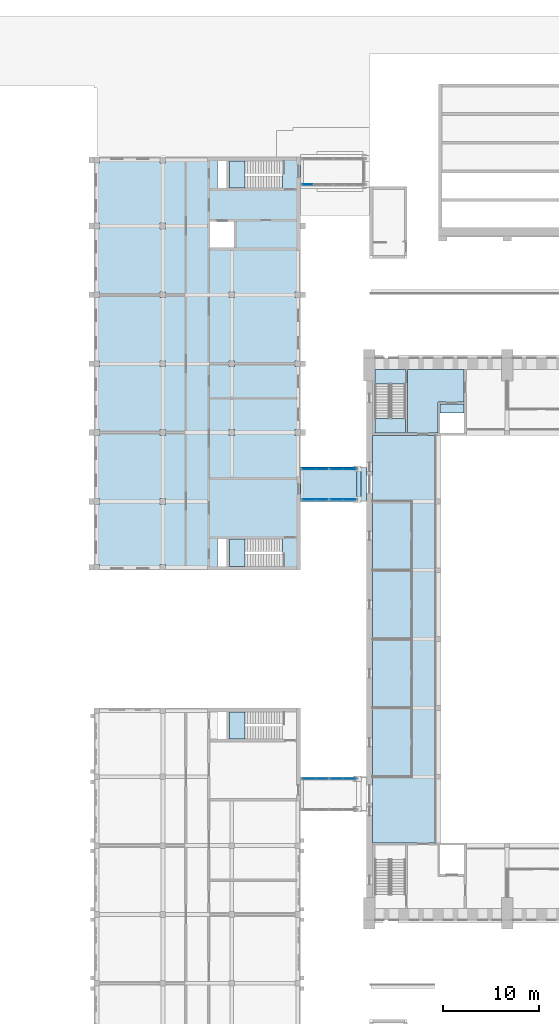
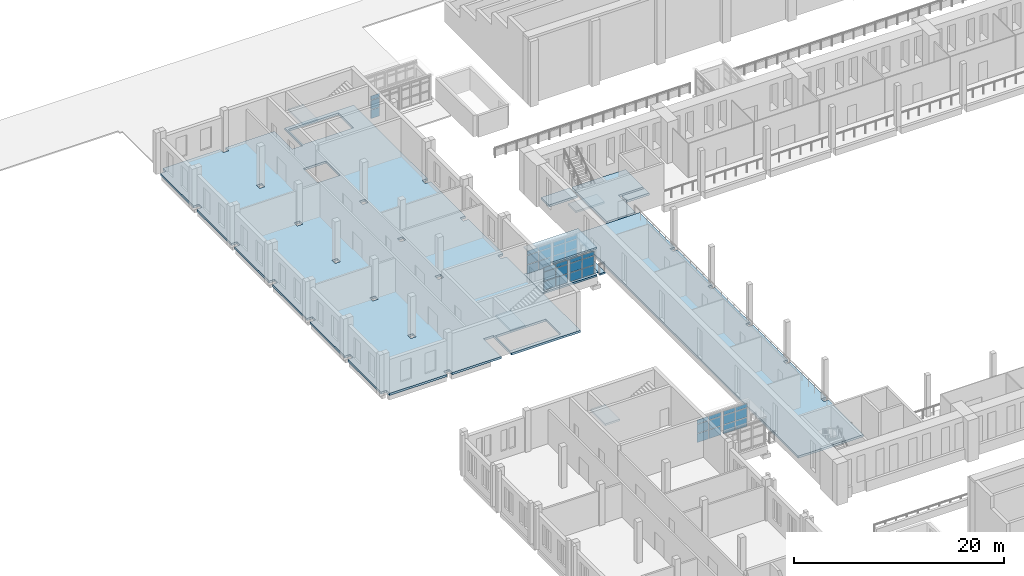
# One storey, part 65 of 131: 40 plates, 12 slabs, 11 elements without a shape of their own.
"""IFC4 building model written with IfcOpenShell, lengths in metres."""

from ifc_helpers import new_model, si_unit, direction, frame, origin, origin_2d, place, context, subcontext, project, spatial, polyline, rectangle, outline, extrude, material, layer, layer_set, type_object, element, aggregate, save


model = new_model("IFC4")

# Units and contexts
model_context = context("Model", 3, precision=1e-05, world=origin(), true_north=direction((0.0, 1.0)))
body_context = subcontext(model_context, "Body", "Model", "MODEL_VIEW")
ifc_project = project(units=[si_unit("LENGTHUNIT", "METRE"), si_unit("AREAUNIT", "SQUARE_METRE"), si_unit("VOLUMEUNIT", "CUBIC_METRE"), si_unit("PLANEANGLEUNIT", "RADIAN"), si_unit("MASSUNIT", "GRAM", prefix="KILO")], contexts=[model_context])

# Site, building, storey
site_placement = place(None, origin())
site = spatial("IfcSite", under=ifc_project, at=site_placement, CompositionType="ELEMENT")
building_placement = place(site_placement, origin())
building = spatial("IfcBuilding", under=site, at=building_placement, Name="Alderwick Market Hall", CompositionType="ELEMENT")
storey_placement = place(building_placement, frame((0.0, 0.0, 4.800048828125)))
storey = spatial("IfcBuildingStorey", under=building, at=storey_placement, Name="L00", CompositionType="ELEMENT", Elevation=4.800048828125)

# Slab
ifc_material_1 = material(Name="Concrete 4000 psi (f'c 28 MPa)", Category="concrete")
ifc_layer_1 = layer(ifc_material_1, 0.25)
ifc_layer_set_1 = layer_set([ifc_layer_1], Name="Concrete 4000 psi (f'c 28 MPa)")
slab_type_1 = type_object("IfcSlabType", Name="B RC Floor Slab 250", PredefinedType="FLOOR", material=ifc_layer_set_1)
slab_1_placement = place(storey_placement, frame((0.0, 0.0, -0.25)))
element("IfcSlab", 1, at=slab_1_placement, inside=storey, type_object=slab_type_1, Name="B.N.slab.L00", PredefinedType="FLOOR", context=body_context, shape_type="SweptSolid", body=[
    extrude(outline(polyline([(35.60009765625, 126.199951171875), (35.60009765625, 129.60009765625), (43.199951171875, 129.60009765625), (43.199951171875, 115.5), (42.60009765625, 115.5), (42.60009765625, 114.89990234375), (43.199951171875, 114.89990234375), (43.199951171875, 108.300048828125), (42.60009765625, 108.300048828125), (42.60009765625, 107.699951171875), (43.199951171875, 107.699951171875), (43.199951171875, 101.10009765625), (42.60009765625, 101.10009765625), (42.60009765625, 100.5), (43.199951171875, 100.5), (43.199951171875, 86.39990234375), (35.60009765625, 86.39990234375), (35.60009765625, 89.800048828125), (34.5, 89.800048828125), (34.5, 86.39990234375), (29.10009765625, 86.39990234375), (29.10009765625, 87.0), (28.5, 87.0), (28.5, 86.39990234375), (22.199951171875, 86.39990234375), (22.199951171875, 87.0), (21.60009765625, 87.0), (21.60009765625, 93.300048828125), (22.199951171875, 93.300048828125), (22.199951171875, 93.89990234375), (21.60009765625, 93.89990234375), (21.60009765625, 100.5), (22.199951171875, 100.5), (22.199951171875, 101.10009765625), (21.60009765625, 101.10009765625), (21.60009765625, 107.699951171875), (22.199951171875, 107.699951171875), (22.199951171875, 108.300048828125), (21.60009765625, 108.300048828125), (21.60009765625, 114.89990234375), (22.199951171875, 114.89990234375), (22.199951171875, 115.5), (21.60009765625, 115.5), (21.60009765625, 122.10009765625), (22.199951171875, 122.10009765625), (22.199951171875, 122.699951171875), (21.60009765625, 122.699951171875), (21.60009765625, 129.0), (22.199951171875, 129.0), (22.199951171875, 129.60009765625), (28.5, 129.60009765625), (28.5, 129.0), (29.10009765625, 129.0), (29.10009765625, 129.60009765625), (34.5, 129.60009765625), (34.5, 126.199951171875), (35.60009765625, 126.199951171875)]), holes=[polyline([(29.10009765625, 122.699951171875), (28.5, 122.699951171875), (28.5, 122.10009765625), (29.10009765625, 122.10009765625), (29.10009765625, 122.699951171875)]), polyline([(29.10009765625, 114.89990234375), (29.10009765625, 115.5), (28.5, 115.5), (28.5, 114.89990234375), (29.10009765625, 114.89990234375)]), polyline([(28.5, 107.699951171875), (29.10009765625, 107.699951171875), (29.10009765625, 108.300048828125), (28.5, 108.300048828125), (28.5, 107.699951171875)]), polyline([(28.5, 101.10009765625), (28.5, 100.5), (29.10009765625, 100.5), (29.10009765625, 101.10009765625), (28.5, 101.10009765625)]), polyline([(29.10009765625, 93.89990234375), (28.5, 93.89990234375), (28.5, 93.300048828125), (29.10009765625, 93.300048828125), (29.10009765625, 93.89990234375)]), polyline([(35.699951171875, 114.89990234375), (36.300048828125, 114.89990234375), (36.300048828125, 115.5), (35.699951171875, 115.5), (35.699951171875, 114.89990234375)]), polyline([(35.699951171875, 108.300048828125), (35.699951171875, 107.699951171875), (36.300048828125, 107.699951171875), (36.300048828125, 108.300048828125), (35.699951171875, 108.300048828125)]), polyline([(36.300048828125, 101.10009765625), (35.699951171875, 101.10009765625), (35.699951171875, 100.5), (36.300048828125, 100.5), (36.300048828125, 101.10009765625)]), polyline([(41.2900390625, 129.199951171875), (35.75, 129.199951171875), (35.75, 126.35009765625), (41.2900390625, 126.35009765625), (41.2900390625, 129.199951171875)]), polyline([(36.25, 120.14990234375), (36.25, 122.85009765625), (33.75, 122.85009765625), (33.75, 120.14990234375), (36.25, 120.14990234375)]), polyline([(35.75, 89.64990234375), (35.75, 86.800048828125), (41.2900390625, 86.800048828125), (41.2900390625, 89.64990234375), (35.75, 89.64990234375)])]), origin(), (0.0, 0.0, 1.0), 0.25),
])

# Stair, slab
ifc_material_2 = material(Name="Concrete 5000 psi (f'c 35 MPa)", Category="concrete")
stair_type_1 = type_object("IfcStairType", Name="B Exit Stair 1300", PredefinedType="TWO_STRAIGHT_RUN_STAIR", material=ifc_material_2)
stair_1_placement = place(storey_placement, origin())
stair_1 = element("IfcStair", 2, at=stair_1_placement, inside=storey, type_object=stair_type_1, Name="Stair N-1 L00", PredefinedType="TWO_STRAIGHT_RUN_STAIR")
ifc_layer_2 = layer(ifc_material_2, 0.199951171875)
ifc_layer_set_2 = layer_set([ifc_layer_2], Name="Concrete 5000 psi (f'c 35 MPa)")
slab_type_2 = type_object("IfcSlabType", Name="B Stair Landing 200", PredefinedType="LANDING", material=ifc_layer_set_2)
slab_2_placement = place(storey_placement, frame((0.0, 0.0, 2.199951171875)))
slab_2 = element("IfcSlab", 3, at=slab_2_placement, type_object=slab_type_2, Name="B-ST-N-1-L00 landing 1", PredefinedType="LANDING", context=body_context, shape_type="SweptSolid", body=[
    extrude(outline(polyline([(35.75, 129.199951171875), (37.3798828125, 129.199951171875), (37.3798828125, 126.35009765625), (35.75, 126.35009765625), (35.75, 129.199951171875)])), origin(), (0.0, 0.0, 1.0), 0.199951171875),
])
aggregate(stair_1, [slab_2])

stair_2_placement = place(storey_placement, origin())
stair_2 = element("IfcStair", 4, at=stair_2_placement, inside=storey, type_object=stair_type_1, Name="Stair N-2 L00", PredefinedType="TWO_STRAIGHT_RUN_STAIR")
slab_3_placement = place(storey_placement, frame((0.0, 0.0, 2.199951171875)))
slab_3 = element("IfcSlab", 5, at=slab_3_placement, type_object=slab_type_2, Name="B-ST-N-2-L00 landing 1", PredefinedType="LANDING", context=body_context, shape_type="SweptSolid", body=[
    extrude(outline(polyline([(35.75, 86.800048828125), (37.3798828125, 86.800048828125), (37.3798828125, 89.64990234375), (35.75, 89.64990234375), (35.75, 86.800048828125)])), origin(), (0.0, 0.0, 1.0), 0.199951171875),
])
aggregate(stair_2, [slab_3])

stair_3_placement = place(storey_placement, origin())
stair_3 = element("IfcStair", 6, at=stair_3_placement, inside=storey, type_object=stair_type_1, Name="Stair S-2 L00", PredefinedType="TWO_STRAIGHT_RUN_STAIR")
slab_4_placement = place(storey_placement, frame((0.0, 0.0, 2.199951171875)))
slab_4 = element("IfcSlab", 7, at=slab_4_placement, type_object=slab_type_2, Name="B-ST-S-2-L00 landing 1", PredefinedType="LANDING", context=body_context, shape_type="SweptSolid", body=[
    extrude(outline(polyline([(35.75, 71.60009765625), (37.3798828125, 71.60009765625), (37.3798828125, 68.75), (35.75, 68.75), (35.75, 71.60009765625)])), origin(), (0.0, 0.0, 1.0), 0.199951171875),
])
aggregate(stair_3, [slab_4])

# Slabs
ifc_layer_3 = layer(ifc_material_1, 0.25)
ifc_layer_set_3 = layer_set([ifc_layer_3], Name="Concrete 4000 psi (f'c 28 MPa)")
slab_type_3 = type_object("IfcSlabType", Name="H Gallery slab 250", PredefinedType="FLOOR", material=ifc_layer_set_3)
slab_5_placement = place(storey_placement, frame((0.0, 0.0, -0.25)))
element("IfcSlab", 8, at=slab_5_placement, inside=storey, type_object=slab_type_3, Name="Gallery floor L00", PredefinedType="FLOOR", context=body_context, shape_type="SweptSolid", body=[
    extrude(outline(polyline([(57.889892578125, 93.85009765625), (57.389892578125, 93.85009765625), (57.389892578125, 93.35009765625), (57.889892578125, 93.35009765625), (57.889892578125, 86.64990234375), (57.389892578125, 86.64990234375), (57.389892578125, 86.14990234375), (57.889892578125, 86.14990234375), (57.889892578125, 79.449951171875), (57.389892578125, 79.449951171875), (57.389892578125, 78.949951171875), (57.889892578125, 78.949951171875), (57.889892578125, 72.25), (57.389892578125, 72.25), (57.389892578125, 71.75), (57.889892578125, 71.75), (57.889892578125, 65.050048828125), (57.389892578125, 65.050048828125), (57.389892578125, 64.550048828125), (57.889892578125, 64.550048828125), (57.889892578125, 57.889892578125), (50.699951171875, 57.889892578125), (50.699951171875, 100.510009765625), (57.889892578125, 100.510009765625), (57.889892578125, 93.85009765625)])), origin(), (0.0, 0.0, 1.0), 0.25),
])
slab_6_placement = place(storey_placement, frame((0.0, 0.0, -0.25)))
element("IfcSlab", 9, at=slab_6_placement, inside=storey, type_object=slab_type_3, Name="Core floor H-NW L00", PredefinedType="FLOOR", context=body_context, shape_type="SweptSolid", body=[
    extrude(outline(polyline([(57.550048828125, 100.760009765625), (54.39990234375, 100.760009765625), (54.39990234375, 107.39990234375), (60.300048828125, 107.39990234375), (60.300048828125, 104.010009765625), (57.550048828125, 104.010009765625), (57.550048828125, 100.760009765625)])), origin(), (0.0, 0.0, 1.0), 0.25),
])
slab_7_placement = place(storey_placement, frame((0.0, 0.0, -0.25)))
element("IfcSlab", 10, at=slab_7_placement, inside=storey, type_object=slab_type_3, Name="Core floor H-NW L00", PredefinedType="FLOOR", context=body_context, shape_type="SweptSolid", body=[
    extrude(outline(polyline([(60.300048828125, 103.760009765625), (60.300048828125, 102.860107421875), (57.800048828125, 102.860107421875), (57.800048828125, 103.760009765625), (60.300048828125, 103.760009765625)])), origin(), (0.0, 0.0, 1.0), 0.25),
])
slab_8_placement = place(storey_placement, frame((0.0, 0.0, -0.25)))
element("IfcSlab", 11, at=slab_8_placement, inside=storey, type_object=slab_type_3, Name="Core floor H-NW L00", PredefinedType="FLOOR", context=body_context, shape_type="SweptSolid", body=[
    extrude(outline(polyline([(51.0, 105.89990234375), (51.0, 107.39990234375), (54.14990234375, 107.39990234375), (54.14990234375, 105.89990234375), (51.0, 105.89990234375)])), origin(), (0.0, 0.0, 1.0), 0.25),
])

# Stair, slab
stair_type_2 = type_object("IfcStairType", Name="H Stair 1500", PredefinedType="HALF_TURN_STAIR", material=ifc_material_2)
stair_4_placement = place(storey_placement, origin())
stair_4 = element("IfcStair", 12, at=stair_4_placement, inside=storey, type_object=stair_type_2, Name="L00 Exit stair H-NW", PredefinedType="HALF_TURN_STAIR")
ifc_layer_4 = layer(ifc_material_1, 0.199951171875)
ifc_layer_set_4 = layer_set([ifc_layer_4], Name="Concrete 4000 psi (f'c 28 MPa)")
slab_type_4 = type_object("IfcSlabType", Name="H Stair landing 200", PredefinedType="LANDING", material=ifc_layer_set_4)
slab_9_placement = place(storey_placement, frame((0.0, 0.0, 2.199951171875)))
slab_9 = element("IfcSlab", 13, at=slab_9_placement, type_object=slab_type_4, Name="H-NW landing 1", PredefinedType="LANDING", context=body_context, shape_type="SweptSolid", body=[
    extrude(outline(polyline([(51.0, 102.260009765625), (51.0, 100.760009765625), (54.14990234375, 100.760009765625), (54.14990234375, 102.260009765625), (51.0, 102.260009765625)])), origin(), (0.0, 0.0, 1.0), 0.199951171875),
])
aggregate(stair_4, [slab_9])

# Curtain wall, plates
ifc_material_3 = material(Name="Aluminium frame", Category="aluminium")
ifc_layer_5 = layer(ifc_material_3, 0.10009765625)
ifc_layer_set_5 = layer_set([ifc_layer_5], Name="Aluminium frame")
curtain_wall_type = type_object("IfcCurtainWallType", Name="P Curtain Wall 100", PredefinedType="NOTDEFINED", material=ifc_layer_set_5)
curtain_wall_1_placement = place(storey_placement, origin())
curtain_wall_1 = element("IfcCurtainWall", 14, at=curtain_wall_1_placement, inside=storey, type_object=curtain_wall_type, Name="P.P5.cw.a0", PredefinedType="NOTDEFINED")
ifc_material_4 = material(Name="Glass, low-e insulated glazing", Category="glass")
ifc_layer_6 = layer(ifc_material_4, 0.028076171875)
ifc_layer_set_6 = layer_set([ifc_layer_6], Name="Glass, low-e insulated glazing")
plate_type_1 = type_object("IfcPlateType", Name="P Glass Panel 28", PredefinedType="CURTAIN_PANEL", material=ifc_layer_set_6)
plate_1_placement = place(storey_placement, frame((44.077880859375, 93.800048828125, 0.06005859375), z_axis=(0.0, 0.0, 1.0), x_axis=(1.0, 0.0, 0.0)))
plate_1 = element("IfcPlate", 15, at=plate_1_placement, type_object=plate_type_1, Name="P-CW5a0 panel 1.1", PredefinedType="CURTAIN_PANEL", context=body_context, shape_type="SweptSolid", body=[
    extrude(rectangle(XDim=1.283935546875, YDim=0.028076171875, at=origin_2d()), origin(), (0.0, 0.0, 1.0), 1.010009765625),
])
plate_2_placement = place(storey_placement, frame((44.077880859375, 93.800048828125, 1.1298828125), z_axis=(0.0, 0.0, 1.0), x_axis=(1.0, 0.0, 0.0)))
plate_2 = element("IfcPlate", 16, at=plate_2_placement, type_object=plate_type_1, Name="P-CW5a0 panel 1.2", PredefinedType="CURTAIN_PANEL", context=body_context, shape_type="SweptSolid", body=[
    extrude(rectangle(XDim=1.283935546875, YDim=0.028076171875, at=origin_2d()), origin(), (0.0, 0.0, 1.0), 1.0400390625),
])
plate_3_placement = place(storey_placement, frame((44.077880859375, 93.800048828125, 2.22998046875), z_axis=(0.0, 0.0, 1.0), x_axis=(1.0, 0.0, 0.0)))
plate_3 = element("IfcPlate", 17, at=plate_3_placement, type_object=plate_type_1, Name="P-CW5a0 panel 1.3", PredefinedType="CURTAIN_PANEL", context=body_context, shape_type="SweptSolid", body=[
    extrude(rectangle(XDim=1.283935546875, YDim=0.028076171875, at=origin_2d()), origin(), (0.0, 0.0, 1.0), 0.462890625),
])
plate_4_placement = place(storey_placement, frame((45.422119140625, 93.800048828125, 0.06005859375), z_axis=(0.0, 0.0, 1.0), x_axis=(1.0, 0.0, 0.0)))
plate_4 = element("IfcPlate", 18, at=plate_4_placement, type_object=plate_type_1, Name="P-CW5a0 panel 2.1", PredefinedType="CURTAIN_PANEL", context=body_context, shape_type="SweptSolid", body=[
    extrude(rectangle(XDim=1.283935546875, YDim=0.028076171875, at=origin_2d()), origin(), (0.0, 0.0, 1.0), 1.010009765625),
])
plate_5_placement = place(storey_placement, frame((45.422119140625, 93.800048828125, 1.1298828125), z_axis=(0.0, 0.0, 1.0), x_axis=(1.0, 0.0, 0.0)))
plate_5 = element("IfcPlate", 19, at=plate_5_placement, type_object=plate_type_1, Name="P-CW5a0 panel 2.2", PredefinedType="CURTAIN_PANEL", context=body_context, shape_type="SweptSolid", body=[
    extrude(rectangle(XDim=1.283935546875, YDim=0.028076171875, at=origin_2d()), origin(), (0.0, 0.0, 1.0), 1.0400390625),
])
plate_6_placement = place(storey_placement, frame((45.422119140625, 93.800048828125, 2.22998046875), z_axis=(0.0, 0.0, 1.0), x_axis=(1.0, 0.0, 0.0)))
plate_6 = element("IfcPlate", 20, at=plate_6_placement, type_object=plate_type_1, Name="P-CW5a0 panel 2.3", PredefinedType="CURTAIN_PANEL", context=body_context, shape_type="SweptSolid", body=[
    extrude(rectangle(XDim=1.283935546875, YDim=0.028076171875, at=origin_2d()), origin(), (0.0, 0.0, 1.0), 0.462890625),
])
aggregate(curtain_wall_1, [plate_1, plate_2, plate_3, plate_4, plate_5, plate_6])

curtain_wall_2_placement = place(storey_placement, origin())
curtain_wall_2 = element("IfcCurtainWall", 21, at=curtain_wall_2_placement, inside=storey, type_object=curtain_wall_type, Name="P.P5.cw.a1", PredefinedType="NOTDEFINED")
plate_7_placement = place(storey_placement, frame((46.97802734375, 93.800048828125, 0.06005859375), z_axis=(0.0, 0.0, 1.0), x_axis=(1.0, 0.0, 0.0)))
plate_7 = element("IfcPlate", 22, at=plate_7_placement, type_object=plate_type_1, Name="P-CW5a1 panel 1.1", PredefinedType="CURTAIN_PANEL", context=body_context, shape_type="SweptSolid", body=[
    extrude(rectangle(XDim=1.283935546875, YDim=0.028076171875, at=origin_2d()), origin(), (0.0, 0.0, 1.0), 1.010009765625),
])
plate_8_placement = place(storey_placement, frame((46.97802734375, 93.800048828125, 1.1298828125), z_axis=(0.0, 0.0, 1.0), x_axis=(1.0, 0.0, 0.0)))
plate_8 = element("IfcPlate", 23, at=plate_8_placement, type_object=plate_type_1, Name="P-CW5a1 panel 1.2", PredefinedType="CURTAIN_PANEL", context=body_context, shape_type="SweptSolid", body=[
    extrude(rectangle(XDim=1.283935546875, YDim=0.028076171875, at=origin_2d()), origin(), (0.0, 0.0, 1.0), 1.0400390625),
])
plate_9_placement = place(storey_placement, frame((46.97802734375, 93.800048828125, 2.22998046875), z_axis=(0.0, 0.0, 1.0), x_axis=(1.0, 0.0, 0.0)))
plate_9 = element("IfcPlate", 24, at=plate_9_placement, type_object=plate_type_1, Name="P-CW5a1 panel 1.3", PredefinedType="CURTAIN_PANEL", context=body_context, shape_type="SweptSolid", body=[
    extrude(rectangle(XDim=1.283935546875, YDim=0.028076171875, at=origin_2d()), origin(), (0.0, 0.0, 1.0), 0.462890625),
])
plate_10_placement = place(storey_placement, frame((48.322021484375, 93.800048828125, 0.06005859375), z_axis=(0.0, 0.0, 1.0), x_axis=(1.0, 0.0, 0.0)))
plate_10 = element("IfcPlate", 25, at=plate_10_placement, type_object=plate_type_1, Name="P-CW5a1 panel 2.1", PredefinedType="CURTAIN_PANEL", context=body_context, shape_type="SweptSolid", body=[
    extrude(rectangle(XDim=1.283935546875, YDim=0.028076171875, at=origin_2d()), origin(), (0.0, 0.0, 1.0), 1.010009765625),
])
plate_11_placement = place(storey_placement, frame((48.322021484375, 93.800048828125, 1.1298828125), z_axis=(0.0, 0.0, 1.0), x_axis=(1.0, 0.0, 0.0)))
plate_11 = element("IfcPlate", 26, at=plate_11_placement, type_object=plate_type_1, Name="P-CW5a1 panel 2.2", PredefinedType="CURTAIN_PANEL", context=body_context, shape_type="SweptSolid", body=[
    extrude(rectangle(XDim=1.283935546875, YDim=0.028076171875, at=origin_2d()), origin(), (0.0, 0.0, 1.0), 1.0400390625),
])
plate_12_placement = place(storey_placement, frame((48.322021484375, 93.800048828125, 2.22998046875), z_axis=(0.0, 0.0, 1.0), x_axis=(1.0, 0.0, 0.0)))
plate_12 = element("IfcPlate", 27, at=plate_12_placement, type_object=plate_type_1, Name="P-CW5a1 panel 2.3", PredefinedType="CURTAIN_PANEL", context=body_context, shape_type="SweptSolid", body=[
    extrude(rectangle(XDim=1.283935546875, YDim=0.028076171875, at=origin_2d()), origin(), (0.0, 0.0, 1.0), 0.462890625),
])
aggregate(curtain_wall_2, [plate_7, plate_8, plate_9, plate_10, plate_11, plate_12])

curtain_wall_3_placement = place(storey_placement, origin())
curtain_wall_3 = element("IfcCurtainWall", 28, at=curtain_wall_3_placement, inside=storey, type_object=curtain_wall_type, Name="P.P5.cw.b0", PredefinedType="NOTDEFINED")
plate_13_placement = place(storey_placement, frame((44.077880859375, 97.0, 0.06005859375), z_axis=(0.0, 0.0, 1.0), x_axis=(1.0, 0.0, 0.0)))
plate_13 = element("IfcPlate", 29, at=plate_13_placement, type_object=plate_type_1, Name="P-CW5b0 panel 1.1", PredefinedType="CURTAIN_PANEL", context=body_context, shape_type="SweptSolid", body=[
    extrude(rectangle(XDim=1.283935546875, YDim=0.028076171875, at=origin_2d()), origin(), (0.0, 0.0, 1.0), 1.010009765625),
])
plate_14_placement = place(storey_placement, frame((44.077880859375, 97.0, 1.1298828125), z_axis=(0.0, 0.0, 1.0), x_axis=(1.0, 0.0, 0.0)))
plate_14 = element("IfcPlate", 30, at=plate_14_placement, type_object=plate_type_1, Name="P-CW5b0 panel 1.2", PredefinedType="CURTAIN_PANEL", context=body_context, shape_type="SweptSolid", body=[
    extrude(rectangle(XDim=1.283935546875, YDim=0.028076171875, at=origin_2d()), origin(), (0.0, 0.0, 1.0), 1.0400390625),
])
plate_15_placement = place(storey_placement, frame((44.077880859375, 97.0, 2.22998046875), z_axis=(0.0, 0.0, 1.0), x_axis=(1.0, 0.0, 0.0)))
plate_15 = element("IfcPlate", 31, at=plate_15_placement, type_object=plate_type_1, Name="P-CW5b0 panel 1.3", PredefinedType="CURTAIN_PANEL", context=body_context, shape_type="SweptSolid", body=[
    extrude(rectangle(XDim=1.283935546875, YDim=0.028076171875, at=origin_2d()), origin(), (0.0, 0.0, 1.0), 0.462890625),
])
plate_16_placement = place(storey_placement, frame((45.422119140625, 97.0, 0.06005859375), z_axis=(0.0, 0.0, 1.0), x_axis=(1.0, 0.0, 0.0)))
plate_16 = element("IfcPlate", 32, at=plate_16_placement, type_object=plate_type_1, Name="P-CW5b0 panel 2.1", PredefinedType="CURTAIN_PANEL", context=body_context, shape_type="SweptSolid", body=[
    extrude(rectangle(XDim=1.283935546875, YDim=0.028076171875, at=origin_2d()), origin(), (0.0, 0.0, 1.0), 1.010009765625),
])
plate_17_placement = place(storey_placement, frame((45.422119140625, 97.0, 1.1298828125), z_axis=(0.0, 0.0, 1.0), x_axis=(1.0, 0.0, 0.0)))
plate_17 = element("IfcPlate", 33, at=plate_17_placement, type_object=plate_type_1, Name="P-CW5b0 panel 2.2", PredefinedType="CURTAIN_PANEL", context=body_context, shape_type="SweptSolid", body=[
    extrude(rectangle(XDim=1.283935546875, YDim=0.028076171875, at=origin_2d()), origin(), (0.0, 0.0, 1.0), 1.0400390625),
])
plate_18_placement = place(storey_placement, frame((45.422119140625, 97.0, 2.22998046875), z_axis=(0.0, 0.0, 1.0), x_axis=(1.0, 0.0, 0.0)))
plate_18 = element("IfcPlate", 34, at=plate_18_placement, type_object=plate_type_1, Name="P-CW5b0 panel 2.3", PredefinedType="CURTAIN_PANEL", context=body_context, shape_type="SweptSolid", body=[
    extrude(rectangle(XDim=1.283935546875, YDim=0.028076171875, at=origin_2d()), origin(), (0.0, 0.0, 1.0), 0.462890625),
])
aggregate(curtain_wall_3, [plate_13, plate_14, plate_15, plate_16, plate_17, plate_18])

curtain_wall_4_placement = place(storey_placement, origin())
curtain_wall_4 = element("IfcCurtainWall", 35, at=curtain_wall_4_placement, inside=storey, type_object=curtain_wall_type, Name="P.P5.cw.b1", PredefinedType="NOTDEFINED")
plate_19_placement = place(storey_placement, frame((46.97802734375, 97.0, 0.06005859375), z_axis=(0.0, 0.0, 1.0), x_axis=(1.0, 0.0, 0.0)))
plate_19 = element("IfcPlate", 36, at=plate_19_placement, type_object=plate_type_1, Name="P-CW5b1 panel 1.1", PredefinedType="CURTAIN_PANEL", context=body_context, shape_type="SweptSolid", body=[
    extrude(rectangle(XDim=1.283935546875, YDim=0.028076171875, at=origin_2d()), origin(), (0.0, 0.0, 1.0), 1.010009765625),
])
plate_20_placement = place(storey_placement, frame((46.97802734375, 97.0, 1.1298828125), z_axis=(0.0, 0.0, 1.0), x_axis=(1.0, 0.0, 0.0)))
plate_20 = element("IfcPlate", 37, at=plate_20_placement, type_object=plate_type_1, Name="P-CW5b1 panel 1.2", PredefinedType="CURTAIN_PANEL", context=body_context, shape_type="SweptSolid", body=[
    extrude(rectangle(XDim=1.283935546875, YDim=0.028076171875, at=origin_2d()), origin(), (0.0, 0.0, 1.0), 1.0400390625),
])
plate_21_placement = place(storey_placement, frame((46.97802734375, 97.0, 2.22998046875), z_axis=(0.0, 0.0, 1.0), x_axis=(1.0, 0.0, 0.0)))
plate_21 = element("IfcPlate", 38, at=plate_21_placement, type_object=plate_type_1, Name="P-CW5b1 panel 1.3", PredefinedType="CURTAIN_PANEL", context=body_context, shape_type="SweptSolid", body=[
    extrude(rectangle(XDim=1.283935546875, YDim=0.028076171875, at=origin_2d()), origin(), (0.0, 0.0, 1.0), 0.462890625),
])
plate_22_placement = place(storey_placement, frame((48.322021484375, 97.0, 0.06005859375), z_axis=(0.0, 0.0, 1.0), x_axis=(1.0, 0.0, 0.0)))
plate_22 = element("IfcPlate", 39, at=plate_22_placement, type_object=plate_type_1, Name="P-CW5b1 panel 2.1", PredefinedType="CURTAIN_PANEL", context=body_context, shape_type="SweptSolid", body=[
    extrude(rectangle(XDim=1.283935546875, YDim=0.028076171875, at=origin_2d()), origin(), (0.0, 0.0, 1.0), 1.010009765625),
])
plate_23_placement = place(storey_placement, frame((48.322021484375, 97.0, 1.1298828125), z_axis=(0.0, 0.0, 1.0), x_axis=(1.0, 0.0, 0.0)))
plate_23 = element("IfcPlate", 40, at=plate_23_placement, type_object=plate_type_1, Name="P-CW5b1 panel 2.2", PredefinedType="CURTAIN_PANEL", context=body_context, shape_type="SweptSolid", body=[
    extrude(rectangle(XDim=1.283935546875, YDim=0.028076171875, at=origin_2d()), origin(), (0.0, 0.0, 1.0), 1.0400390625),
])
plate_24_placement = place(storey_placement, frame((48.322021484375, 97.0, 2.22998046875), z_axis=(0.0, 0.0, 1.0), x_axis=(1.0, 0.0, 0.0)))
plate_24 = element("IfcPlate", 41, at=plate_24_placement, type_object=plate_type_1, Name="P-CW5b1 panel 2.3", PredefinedType="CURTAIN_PANEL", context=body_context, shape_type="SweptSolid", body=[
    extrude(rectangle(XDim=1.283935546875, YDim=0.028076171875, at=origin_2d()), origin(), (0.0, 0.0, 1.0), 0.462890625),
])
aggregate(curtain_wall_4, [plate_19, plate_20, plate_21, plate_22, plate_23, plate_24])

curtain_wall_5_placement = place(storey_placement, origin())
curtain_wall_5 = element("IfcCurtainWall", 42, at=curtain_wall_5_placement, inside=storey, type_object=curtain_wall_type, Name="P.P6.cw.b0", PredefinedType="NOTDEFINED")
plate_25_placement = place(storey_placement, frame((44.077880859375, 64.60009765625, 0.06005859375), z_axis=(0.0, 0.0, 1.0), x_axis=(1.0, 0.0, 0.0)))
plate_25 = element("IfcPlate", 43, at=plate_25_placement, type_object=plate_type_1, Name="P-CW6b0 panel 1.1", PredefinedType="CURTAIN_PANEL", context=body_context, shape_type="SweptSolid", body=[
    extrude(rectangle(XDim=1.283935546875, YDim=0.028076171875, at=origin_2d()), origin(), (0.0, 0.0, 1.0), 1.010009765625),
])
plate_26_placement = place(storey_placement, frame((44.077880859375, 64.60009765625, 1.1298828125), z_axis=(0.0, 0.0, 1.0), x_axis=(1.0, 0.0, 0.0)))
plate_26 = element("IfcPlate", 44, at=plate_26_placement, type_object=plate_type_1, Name="P-CW6b0 panel 1.2", PredefinedType="CURTAIN_PANEL", context=body_context, shape_type="SweptSolid", body=[
    extrude(rectangle(XDim=1.283935546875, YDim=0.028076171875, at=origin_2d()), origin(), (0.0, 0.0, 1.0), 1.0400390625),
])
plate_27_placement = place(storey_placement, frame((44.077880859375, 64.60009765625, 2.22998046875), z_axis=(0.0, 0.0, 1.0), x_axis=(1.0, 0.0, 0.0)))
plate_27 = element("IfcPlate", 45, at=plate_27_placement, type_object=plate_type_1, Name="P-CW6b0 panel 1.3", PredefinedType="CURTAIN_PANEL", context=body_context, shape_type="SweptSolid", body=[
    extrude(rectangle(XDim=1.283935546875, YDim=0.028076171875, at=origin_2d()), origin(), (0.0, 0.0, 1.0), 0.462890625),
])
plate_28_placement = place(storey_placement, frame((45.422119140625, 64.60009765625, 0.06005859375), z_axis=(0.0, 0.0, 1.0), x_axis=(1.0, 0.0, 0.0)))
plate_28 = element("IfcPlate", 46, at=plate_28_placement, type_object=plate_type_1, Name="P-CW6b0 panel 2.1", PredefinedType="CURTAIN_PANEL", context=body_context, shape_type="SweptSolid", body=[
    extrude(rectangle(XDim=1.283935546875, YDim=0.028076171875, at=origin_2d()), origin(), (0.0, 0.0, 1.0), 1.010009765625),
])
plate_29_placement = place(storey_placement, frame((45.422119140625, 64.60009765625, 1.1298828125), z_axis=(0.0, 0.0, 1.0), x_axis=(1.0, 0.0, 0.0)))
plate_29 = element("IfcPlate", 47, at=plate_29_placement, type_object=plate_type_1, Name="P-CW6b0 panel 2.2", PredefinedType="CURTAIN_PANEL", context=body_context, shape_type="SweptSolid", body=[
    extrude(rectangle(XDim=1.283935546875, YDim=0.028076171875, at=origin_2d()), origin(), (0.0, 0.0, 1.0), 1.0400390625),
])
plate_30_placement = place(storey_placement, frame((45.422119140625, 64.60009765625, 2.22998046875), z_axis=(0.0, 0.0, 1.0), x_axis=(1.0, 0.0, 0.0)))
plate_30 = element("IfcPlate", 48, at=plate_30_placement, type_object=plate_type_1, Name="P-CW6b0 panel 2.3", PredefinedType="CURTAIN_PANEL", context=body_context, shape_type="SweptSolid", body=[
    extrude(rectangle(XDim=1.283935546875, YDim=0.028076171875, at=origin_2d()), origin(), (0.0, 0.0, 1.0), 0.462890625),
])
aggregate(curtain_wall_5, [plate_25, plate_26, plate_27, plate_28, plate_29, plate_30])

curtain_wall_6_placement = place(storey_placement, origin())
curtain_wall_6 = element("IfcCurtainWall", 49, at=curtain_wall_6_placement, inside=storey, type_object=curtain_wall_type, Name="P.P6.cw.b1", PredefinedType="NOTDEFINED")
plate_31_placement = place(storey_placement, frame((46.97802734375, 64.60009765625, 0.06005859375), z_axis=(0.0, 0.0, 1.0), x_axis=(1.0, 0.0, 0.0)))
plate_31 = element("IfcPlate", 50, at=plate_31_placement, type_object=plate_type_1, Name="P-CW6b1 panel 1.1", PredefinedType="CURTAIN_PANEL", context=body_context, shape_type="SweptSolid", body=[
    extrude(rectangle(XDim=1.283935546875, YDim=0.028076171875, at=origin_2d()), origin(), (0.0, 0.0, 1.0), 1.010009765625),
])
plate_32_placement = place(storey_placement, frame((46.97802734375, 64.60009765625, 1.1298828125), z_axis=(0.0, 0.0, 1.0), x_axis=(1.0, 0.0, 0.0)))
plate_32 = element("IfcPlate", 51, at=plate_32_placement, type_object=plate_type_1, Name="P-CW6b1 panel 1.2", PredefinedType="CURTAIN_PANEL", context=body_context, shape_type="SweptSolid", body=[
    extrude(rectangle(XDim=1.283935546875, YDim=0.028076171875, at=origin_2d()), origin(), (0.0, 0.0, 1.0), 1.0400390625),
])
plate_33_placement = place(storey_placement, frame((46.97802734375, 64.60009765625, 2.22998046875), z_axis=(0.0, 0.0, 1.0), x_axis=(1.0, 0.0, 0.0)))
plate_33 = element("IfcPlate", 52, at=plate_33_placement, type_object=plate_type_1, Name="P-CW6b1 panel 1.3", PredefinedType="CURTAIN_PANEL", context=body_context, shape_type="SweptSolid", body=[
    extrude(rectangle(XDim=1.283935546875, YDim=0.028076171875, at=origin_2d()), origin(), (0.0, 0.0, 1.0), 0.462890625),
])
plate_34_placement = place(storey_placement, frame((48.322021484375, 64.60009765625, 0.06005859375), z_axis=(0.0, 0.0, 1.0), x_axis=(1.0, 0.0, 0.0)))
plate_34 = element("IfcPlate", 53, at=plate_34_placement, type_object=plate_type_1, Name="P-CW6b1 panel 2.1", PredefinedType="CURTAIN_PANEL", context=body_context, shape_type="SweptSolid", body=[
    extrude(rectangle(XDim=1.283935546875, YDim=0.028076171875, at=origin_2d()), origin(), (0.0, 0.0, 1.0), 1.010009765625),
])
plate_35_placement = place(storey_placement, frame((48.322021484375, 64.60009765625, 1.1298828125), z_axis=(0.0, 0.0, 1.0), x_axis=(1.0, 0.0, 0.0)))
plate_35 = element("IfcPlate", 54, at=plate_35_placement, type_object=plate_type_1, Name="P-CW6b1 panel 2.2", PredefinedType="CURTAIN_PANEL", context=body_context, shape_type="SweptSolid", body=[
    extrude(rectangle(XDim=1.283935546875, YDim=0.028076171875, at=origin_2d()), origin(), (0.0, 0.0, 1.0), 1.0400390625),
])
plate_36_placement = place(storey_placement, frame((48.322021484375, 64.60009765625, 2.22998046875), z_axis=(0.0, 0.0, 1.0), x_axis=(1.0, 0.0, 0.0)))
plate_36 = element("IfcPlate", 55, at=plate_36_placement, type_object=plate_type_1, Name="P-CW6b1 panel 2.3", PredefinedType="CURTAIN_PANEL", context=body_context, shape_type="SweptSolid", body=[
    extrude(rectangle(XDim=1.283935546875, YDim=0.028076171875, at=origin_2d()), origin(), (0.0, 0.0, 1.0), 0.462890625),
])
aggregate(curtain_wall_6, [plate_31, plate_32, plate_33, plate_34, plate_35, plate_36])

curtain_wall_7_placement = place(storey_placement, origin())
curtain_wall_7 = element("IfcCurtainWall", 56, at=curtain_wall_7_placement, inside=storey, type_object=curtain_wall_type, Name="P.P7.cw.a0", PredefinedType="NOTDEFINED")
plate_37_placement = place(storey_placement, frame((43.924072265625, 126.75, 0.06005859375), z_axis=(0.0, 0.0, 1.0), x_axis=(1.0, 0.0, 0.0)))
plate_37 = element("IfcPlate", 57, at=plate_37_placement, type_object=plate_type_1, Name="P-CW7a0 panel 1.1", PredefinedType="CURTAIN_PANEL", context=body_context, shape_type="SweptSolid", body=[
    extrude(rectangle(XDim=0.97607421875, YDim=0.028076171875, at=origin_2d()), origin(), (0.0, 0.0, 1.0), 1.010009765625),
])
plate_38_placement = place(storey_placement, frame((43.924072265625, 126.75, 1.1298828125), z_axis=(0.0, 0.0, 1.0), x_axis=(1.0, 0.0, 0.0)))
plate_38 = element("IfcPlate", 58, at=plate_38_placement, type_object=plate_type_1, Name="P-CW7a0 panel 1.2", PredefinedType="CURTAIN_PANEL", context=body_context, shape_type="SweptSolid", body=[
    extrude(rectangle(XDim=0.97607421875, YDim=0.028076171875, at=origin_2d()), origin(), (0.0, 0.0, 1.0), 1.0400390625),
])
plate_39_placement = place(storey_placement, frame((43.924072265625, 126.75, 2.22998046875), z_axis=(0.0, 0.0, 1.0), x_axis=(1.0, 0.0, 0.0)))
plate_39 = element("IfcPlate", 59, at=plate_39_placement, type_object=plate_type_1, Name="P-CW7a0 panel 1.3", PredefinedType="CURTAIN_PANEL", context=body_context, shape_type="SweptSolid", body=[
    extrude(rectangle(XDim=0.97607421875, YDim=0.028076171875, at=origin_2d()), origin(), (0.0, 0.0, 1.0), 0.462890625),
])
aggregate(curtain_wall_7, [plate_37, plate_38, plate_39])

# Plate
ifc_material_5 = material(Name="Stainless steel plate, grade 316", Category="steel")
ifc_layer_7 = layer(ifc_material_5, 0.011962890625)
ifc_layer_set_7 = layer_set([ifc_layer_7], Name="Stainless steel plate, grade 316")
plate_type_2 = type_object("IfcPlateType", Name="P Joint Cover Plate 12", PredefinedType="SHEET", material=ifc_layer_set_7)
plate_40_placement = place(storey_placement, frame((49.27490234375, 95.39990234375, 0.0), z_axis=(0.0, 0.0, 1.0), x_axis=(1.0, 0.0, 0.0)))
element("IfcPlate", 60, at=plate_40_placement, inside=storey, type_object=plate_type_2, Name="Threshold cover plate", PredefinedType="SHEET", context=body_context, shape_type="SweptSolid", body=[
    extrude(rectangle(XDim=0.449951171875, YDim=3.048095703125, at=origin_2d()), origin(), (0.0, 0.0, 1.0), 0.011962890625),
])

# Slabs
ifc_layer_8 = layer(ifc_material_1, 0.199951171875)
ifc_layer_set_8 = layer_set([ifc_layer_8], Name="Concrete 4000 psi (f'c 28 MPa)")
slab_type_5 = type_object("IfcSlabType", Name="P Passage Roof Deck 200", PredefinedType="ROOF", material=ifc_layer_set_8)
slab_10_placement = place(storey_placement, frame((0.0, 0.0, 3.0)))
element("IfcSlab", 61, at=slab_10_placement, inside=storey, type_object=slab_type_5, Name="P.P5.roof", PredefinedType="ROOF", context=body_context, shape_type="SweptSolid", body=[
    extrude(outline(polyline([(43.199951171875, 93.60009765625), (49.199951171875, 93.60009765625), (49.199951171875, 97.199951171875), (43.199951171875, 97.199951171875), (43.199951171875, 93.60009765625)])), origin(), (0.0, 0.0, 1.0), 0.199951171875),
])
ifc_layer_9 = layer(ifc_material_1, 0.199951171875)
ifc_layer_set_9 = layer_set([ifc_layer_9], Name="Concrete 4000 psi (f'c 28 MPa)")
slab_type_6 = type_object("IfcSlabType", Name="P RC Passage Deck 200", PredefinedType="FLOOR", material=ifc_layer_set_9)
slab_11_placement = place(storey_placement, frame((0.0, 0.0, -0.199951171875)))
element("IfcSlab", 62, at=slab_11_placement, inside=storey, type_object=slab_type_6, Name="P.P5.deck", PredefinedType="FLOOR", context=body_context, shape_type="SweptSolid", body=[
    extrude(outline(polyline([(43.199951171875, 93.60009765625), (49.199951171875, 93.60009765625), (49.199951171875, 97.199951171875), (43.199951171875, 97.199951171875), (43.199951171875, 93.60009765625)])), origin(), (0.0, 0.0, 1.0), 0.199951171875),
])
ifc_layer_10 = layer(ifc_material_2, 0.199951171875)
ifc_layer_set_10 = layer_set([ifc_layer_10], Name="Concrete 5000 psi (f'c 35 MPa)")
slab_type_7 = type_object("IfcSlabType", Name="R Gable Landing 200", PredefinedType="LANDING", material=ifc_layer_set_10)
slab_12_placement = place(storey_placement, frame((0.0, 0.0, -0.199951171875)))
element("IfcSlab", 63, at=slab_12_placement, inside=storey, type_object=slab_type_7, Name="West gable door landing 1", PredefinedType="LANDING", context=body_context, shape_type="SweptSolid", body=[
    extrude(outline(polyline([(49.5, 93.60009765625), (50.10009765625, 93.60009765625), (50.10009765625, 97.199951171875), (49.5, 97.199951171875), (49.5, 93.60009765625)])), origin(), (0.0, 0.0, 1.0), 0.199951171875),
])

save(model, "model.ifc")
